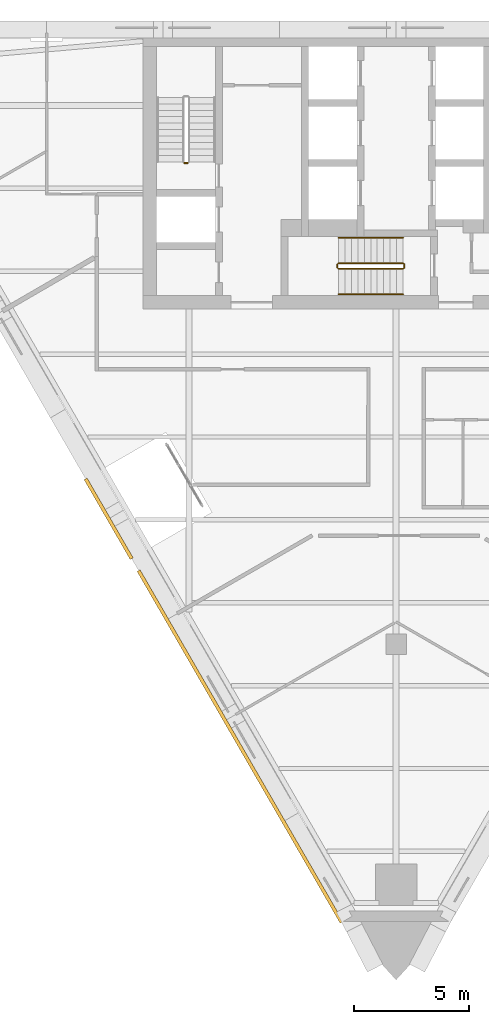
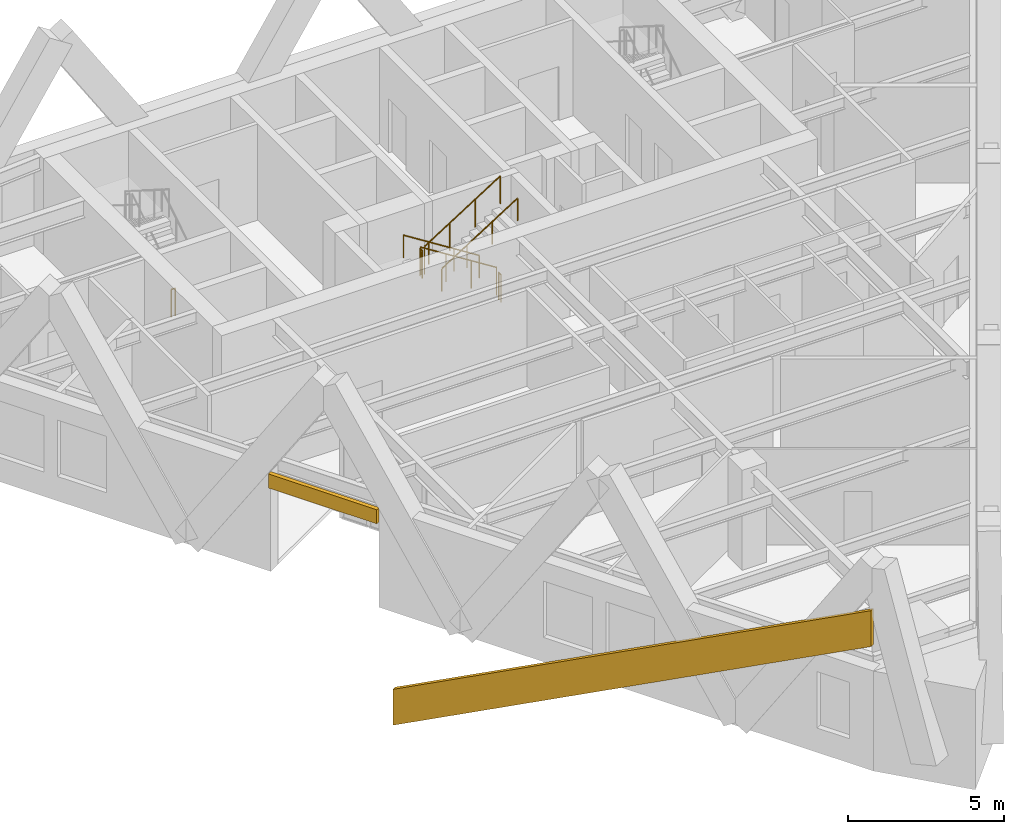
# One storey, part 8 of 9: 7 railings, 2 coverings.
"""IFC4 building model written with IfcOpenShell, lengths in metres."""

from ifc_helpers import new_model, si_unit, direction, frame, origin, origin_2d, place, context, subcontext, project, spatial, polyline, circle, outline, extrude, material, layer, layer_set, type_object, element, save


model = new_model("IFC4")

# Units and contexts
model_context = context("Model", 3, precision=1e-05, world=origin(), true_north=direction((0.0, 1.0)))
body_context = subcontext(model_context, "Body", "Model", "MODEL_VIEW")
ifc_project = project(units=[si_unit("LENGTHUNIT", "METRE"), si_unit("AREAUNIT", "SQUARE_METRE"), si_unit("VOLUMEUNIT", "CUBIC_METRE"), si_unit("PLANEANGLEUNIT", "RADIAN"), si_unit("MASSUNIT", "GRAM", prefix="KILO")], contexts=[model_context])

# Site, building, storey
site_placement = place(None, origin())
site = spatial("IfcSite", under=ifc_project, at=site_placement, CompositionType="ELEMENT")
building_placement = place(site_placement, origin())
building = spatial("IfcBuilding", under=site, at=building_placement, Name="Aloe Facet Convention Tower", CompositionType="ELEMENT")
storey_placement = place(building_placement, frame((0.0, 0.0, 152.0)))
storey = spatial("IfcBuildingStorey", under=building, at=storey_placement, Name="L38", CompositionType="ELEMENT", Elevation=152.0)

# Railings
ifc_material_1 = material(Name="Steel S355 balustrade", Category="steel")
railing_type_1 = type_object("IfcRailingType", Name="CR-RL-GUARD", PredefinedType="GUARDRAIL", material=ifc_material_1)
railing_1_placement = place(storey_placement, frame((70.949951171875, 128.89990234375, 0.0)))
element("IfcRailing", 1, at=railing_1_placement, inside=storey, type_object=railing_type_1, Name="L38 ST1 stair guard 4", PredefinedType="GUARDRAIL", context=body_context, shape_type="SweptSolid", body=[
    extrude(circle(Radius=0.02392578125, at=origin_2d()), frame((0.0, 0.0, 1.076171875), z_axis=(-1.0, 0.0, 0.0), x_axis=(0.0, -1.0, 0.0)), (0.0, 0.0, 1.0), 0.14990234375),
    extrude(circle(Radius=0.02099609375, at=origin_2d()), origin(), (0.0, 0.0, 1.0), 1.052001953125),
    extrude(circle(Radius=0.02099609375, at=origin_2d()), frame((-0.14990234375, 0.0, 0.0)), (0.0, 0.0, 1.0), 1.052001953125),
])
railing_2_placement = place(storey_placement, frame((80.300048828125, 124.550048828125, 0.17724609375)))
element("IfcRailing", 2, at=railing_2_placement, inside=storey, type_object=railing_type_1, Name="L38 ST3 stair guard 1", PredefinedType="GUARDRAIL", context=body_context, shape_type="SweptSolid", body=[
    extrude(circle(Radius=0.02392578125, at=origin_2d()), frame((0.0, 0.0, 1.076171875), z_axis=(-0.844908973607, 0.0, 0.534910110503), x_axis=(0.0, -1.0, 0.0)), (0.0, 0.0, 1.0), 3.31396484375),
    extrude(circle(Radius=0.02099609375, at=origin_2d()), origin(), (0.0, 0.0, 1.0), 1.052001953125),
    extrude(circle(Radius=0.02099609375, at=origin_2d()), frame((-0.933349609375, 0.0, 0.5908203125)), (0.0, 0.0, 1.0), 1.052001953125),
    extrude(circle(Radius=0.02099609375, at=origin_2d()), frame((-1.86669921875, 0.0, 1.181884765625)), (0.0, 0.0, 1.0), 1.052001953125),
    extrude(circle(Radius=0.02099609375, at=origin_2d()), frame((-2.800048828125, 0.0, 1.772705078125)), (0.0, 0.0, 1.0), 1.052001953125),
])
railing_3_placement = place(storey_placement, frame((77.449951171875, 124.5, 1.949951171875)))
element("IfcRailing", 3, at=railing_3_placement, inside=storey, type_object=railing_type_1, Name="L38 ST3 stair guard 2", PredefinedType="GUARDRAIL", context=body_context, shape_type="SweptSolid", body=[
    extrude(circle(Radius=0.02392578125, at=origin_2d()), frame((0.0, 0.0, 1.076171875), z_axis=(0.0, -1.0, 0.0), x_axis=(1.0, 0.0, 0.0)), (0.0, 0.0, 1.0), 0.14990234375),
    extrude(circle(Radius=0.02099609375, at=origin_2d()), origin(), (0.0, 0.0, 1.0), 1.052001953125),
    extrude(circle(Radius=0.02099609375, at=origin_2d()), frame((0.0, -0.14990234375, 0.0)), (0.0, 0.0, 1.0), 1.052001953125),
])
railing_4_placement = place(storey_placement, frame((77.5, 124.300048828125, 2.127197265625)))
element("IfcRailing", 4, at=railing_4_placement, inside=storey, type_object=railing_type_1, Name="L38 ST3 stair guard 3", PredefinedType="GUARDRAIL", context=body_context, shape_type="SweptSolid", body=[
    extrude(circle(Radius=0.02392578125, at=origin_2d()), frame((0.0, 0.0, 1.076171875), z_axis=(0.844908973607, 0.0, 0.534910110503), x_axis=(0.0, 1.0, 0.0)), (0.0, 0.0, 1.0), 3.31396484375),
    extrude(circle(Radius=0.02099609375, at=origin_2d()), origin(), (0.0, 0.0, 1.0), 1.052001953125),
    extrude(circle(Radius=0.02099609375, at=origin_2d()), frame((0.933349609375, 0.0, 0.5908203125)), (0.0, 0.0, 1.0), 1.052001953125),
    extrude(circle(Radius=0.02099609375, at=origin_2d()), frame((1.86669921875, 0.0, 1.181884765625)), (0.0, 0.0, 1.0), 1.052001953125),
    extrude(circle(Radius=0.02099609375, at=origin_2d()), frame((2.800048828125, 0.0, 1.772705078125)), (0.0, 0.0, 1.0), 1.052001953125),
])
railing_5_placement = place(storey_placement, frame((80.35009765625, 124.5, 0.0)))
element("IfcRailing", 5, at=railing_5_placement, inside=storey, type_object=railing_type_1, Name="L38 ST3 stair guard 4", PredefinedType="GUARDRAIL", context=body_context, shape_type="SweptSolid", body=[
    extrude(circle(Radius=0.02392578125, at=origin_2d()), frame((0.0, 0.0, 1.076171875), z_axis=(0.0, -1.0, 0.0), x_axis=(1.0, 0.0, 0.0)), (0.0, 0.0, 1.0), 0.14990234375),
    extrude(circle(Radius=0.02099609375, at=origin_2d()), origin(), (0.0, 0.0, 1.0), 1.052001953125),
    extrude(circle(Radius=0.02099609375, at=origin_2d()), frame((0.0, -0.14990234375, 0.0)), (0.0, 0.0, 1.0), 1.052001953125),
])
ifc_material_2 = material(Name="Steel S355 handrail", Category="steel")
railing_type_2 = type_object("IfcRailingType", Name="CR-RL-HAND", PredefinedType="HANDRAIL", material=ifc_material_2)
railing_6_placement = place(storey_placement, frame((80.300048828125, 125.64990234375, 0.17724609375)))
element("IfcRailing", 6, at=railing_6_placement, inside=storey, type_object=railing_type_2, Name="L38 ST3 stair handrail 1", PredefinedType="HANDRAIL", context=body_context, shape_type="SweptSolid", body=[
    extrude(circle(Radius=0.02392578125, at=origin_2d()), frame((0.0, 0.0, 0.8759765625), z_axis=(-0.844908973607, 0.0, 0.534910110503), x_axis=(0.0, -1.0, 0.0)), (0.0, 0.0, 1.0), 3.31396484375),
    extrude(circle(Radius=0.02099609375, at=origin_2d()), origin(), (0.0, 0.0, 1.0), 0.851806640625),
    extrude(circle(Radius=0.02099609375, at=origin_2d()), frame((-0.933349609375, 0.0, 0.5908203125)), (0.0, 0.0, 1.0), 0.851806640625),
    extrude(circle(Radius=0.02099609375, at=origin_2d()), frame((-1.86669921875, 0.0, 1.181884765625)), (0.0, 0.0, 1.0), 0.851806640625),
    extrude(circle(Radius=0.02099609375, at=origin_2d()), frame((-2.800048828125, 0.0, 1.772705078125)), (0.0, 0.0, 1.0), 0.851806640625),
])
railing_7_placement = place(storey_placement, frame((77.5, 123.199951171875, 2.127197265625)))
element("IfcRailing", 7, at=railing_7_placement, inside=storey, type_object=railing_type_2, Name="L38 ST3 stair handrail 2", PredefinedType="HANDRAIL", context=body_context, shape_type="SweptSolid", body=[
    extrude(circle(Radius=0.02392578125, at=origin_2d()), frame((0.0, 0.0, 0.8759765625), z_axis=(0.844908973607, 0.0, 0.534910110503), x_axis=(0.0, 1.0, 0.0)), (0.0, 0.0, 1.0), 3.31396484375),
    extrude(circle(Radius=0.02099609375, at=origin_2d()), origin(), (0.0, 0.0, 1.0), 0.851806640625),
    extrude(circle(Radius=0.02099609375, at=origin_2d()), frame((0.933349609375, 0.0, 0.5908203125)), (0.0, 0.0, 1.0), 0.851806640625),
    extrude(circle(Radius=0.02099609375, at=origin_2d()), frame((1.86669921875, 0.0, 1.181884765625)), (0.0, 0.0, 1.0), 0.851806640625),
    extrude(circle(Radius=0.02099609375, at=origin_2d()), frame((2.800048828125, 0.0, 1.772705078125)), (0.0, 0.0, 1.0), 0.851806640625),
])

# Coverings
ifc_material_3 = material(Name="Bronze oxide fascia sheet")
ifc_layer = layer(ifc_material_3, 0.14990234375)
ifc_layer_set = layer_set([ifc_layer], Name="EV-FASCIA-TERR")
covering_type = type_object("IfcCoveringType", Name="EV-FASCIA-TERR", PredefinedType="CLADDING", material=ifc_layer_set)
covering_1_placement = place(storey_placement, frame((0.0, 0.0, 3.199951171875)))
element("IfcCovering", 8, at=covering_1_placement, inside=storey, type_object=covering_type, Name="Terrace fascia T08 head", PredefinedType="CLADDING", context=body_context, shape_type="SweptSolid", body=[
    extrude(outline(polyline([(66.448486328125, 115.142333984375), (68.448486328125, 111.67822265625), (68.578369140625, 111.753173828125), (66.578369140625, 115.21728515625), (66.448486328125, 115.142333984375)])), origin(), (0.0, 0.0, 1.0), 0.550048828125),
])
covering_2_placement = place(storey_placement, frame((68.74853515625, 111.15869140625, -4.449951171875), z_axis=(-0.866028199561, -0.499995157542, 0.0), x_axis=(0.442858534522, -0.767063387569, 0.464209088507)))
element("IfcCovering", 9, at=covering_2_placement, inside=storey, type_object=covering_type, Name="Spiral ribbon zone 3 part 6", PredefinedType="CLADDING", context=body_context, shape_type="SweptSolid", body=[
    extrude(outline(polyline([(0.0, 0.0), (19.919528507343642, 0.0), (20.569489230631063, 1.2401456510794855), (0.6498473909904248, 1.2399294094663944), (0.0, 0.0)])), origin(), (0.0, 0.0, -1.0), 0.14990234375),
])

save(model, "model.ifc")
